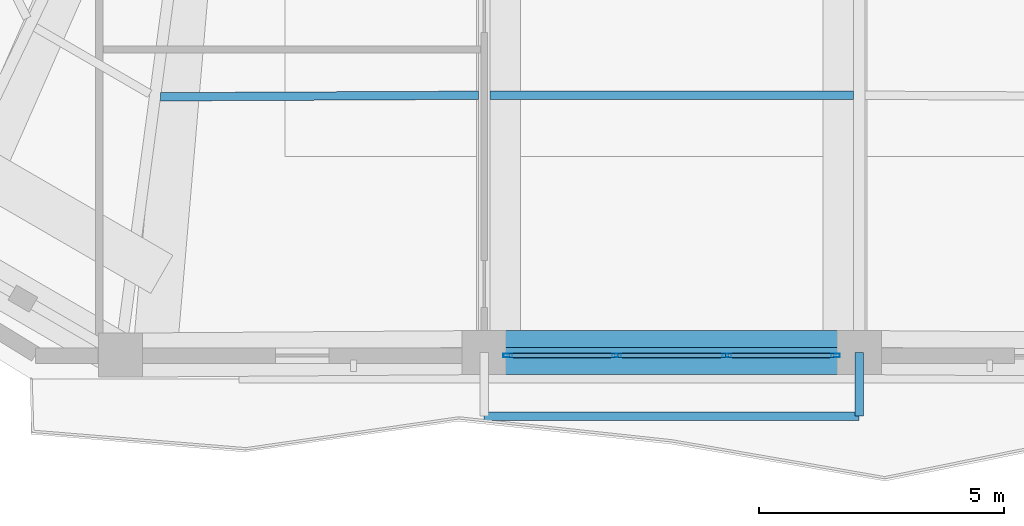
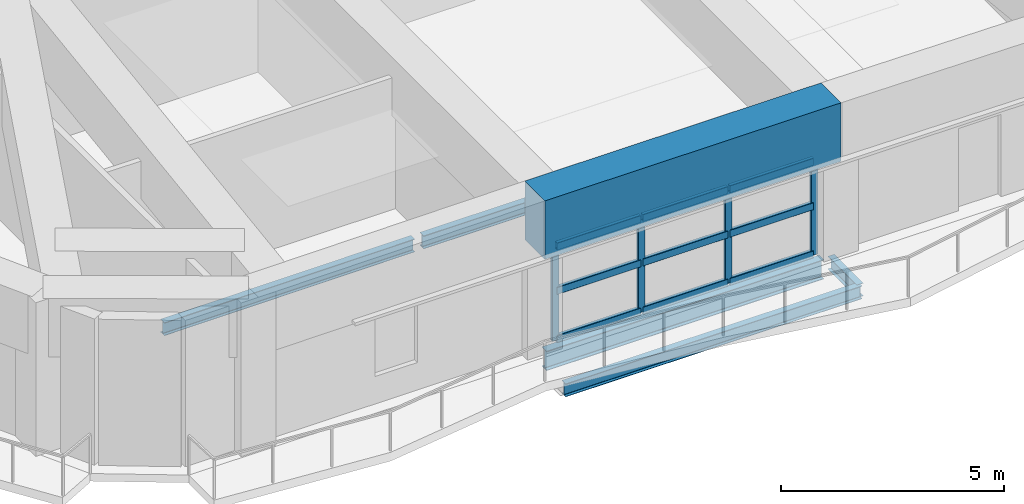
# One storey, part 4 of 20: 13 members, 6 beams, 1 element without a shape of its own.
"""IFC4 building model written with IfcOpenShell, lengths in metres."""

from ifc_helpers import new_model, si_unit, direction, frame, origin, origin_2d, place, context, subcontext, project, spatial, rectangle, hollow_rectangle, i_section, extrude, material, layer, layer_set, material_profile, profile_set, type_object, element, aggregate, save


model = new_model("IFC4")

# Units and contexts
model_context = context("Model", 3, precision=1e-05, world=origin(), true_north=direction((0.0, 1.0)))
body_context = subcontext(model_context, "Body", "Model", "MODEL_VIEW")
ifc_project = project(units=[si_unit("LENGTHUNIT", "METRE"), si_unit("AREAUNIT", "SQUARE_METRE"), si_unit("VOLUMEUNIT", "CUBIC_METRE"), si_unit("PLANEANGLEUNIT", "RADIAN"), si_unit("MASSUNIT", "GRAM", prefix="KILO")], contexts=[model_context])

# Site, building, storey
site_placement = place(None, origin())
site = spatial("IfcSite", under=ifc_project, at=site_placement, CompositionType="ELEMENT")
building_placement = place(site_placement, origin())
building = spatial("IfcBuilding", under=site, at=building_placement, Name="Cinnabar Lancet Tower", CompositionType="ELEMENT")
storey_placement = place(building_placement, frame((0.0, 0.0, 167.699951171875)))
storey = spatial("IfcBuildingStorey", under=building, at=storey_placement, Name="L44", CompositionType="ELEMENT", Elevation=167.699951171875)

# Curtain wall, members
ifc_material_1 = material(Name="Thermally broken bronze-anodized aluminium and low-E glass", Category="aluminium")
ifc_layer = layer(ifc_material_1, 0.179931640625)
ifc_layer_set = layer_set([ifc_layer], Name="Thermally broken bronze-anodized aluminium and low-E glass")
curtain_wall_type = type_object("IfcCurtainWallType", Name="ENV-CW-SYS-03", PredefinedType="NOTDEFINED", material=ifc_layer_set)
curtain_wall_placement = place(storey_placement, origin())
curtain_wall = element("IfcCurtainWall", 1, at=curtain_wall_placement, inside=storey, type_object=curtain_wall_type, Name="L44 Face 1 Feature Curtain Wall", PredefinedType="NOTDEFINED")
ifc_material_2 = material(Name="Anodized architectural aluminium 6063-T6", Category="aluminium")
ifc_material_profile_1 = material_profile(ifc_material_2, hollow_rectangle(XDim=0.074951171875, YDim=0.179931640625, WallThickness=0.00390625, InnerFilletRadius=0.001953125, OuterFilletRadius=0.006103515625, at=origin_2d()), Name="CW-MUL 180x75x4")
ifc_profile_set_1 = profile_set([ifc_material_profile_1], Name="Anodized architectural aluminium 6063-T6")
member_type_1 = type_object("IfcMemberType", Name="ENV-CW-MUL-180", PredefinedType="MULLION", material=ifc_profile_set_1)
member_1_placement = place(storey_placement, frame((29.052001953125, 3.929931640625, 0.0), z_axis=(0.0, 0.0, 1.0), x_axis=(0.0, 1.0, 0.0)))
member_1 = element("IfcMember", 2, at=member_1_placement, type_object=member_type_1, Name="CW-03 mullion 1", PredefinedType="MULLION", context=body_context, shape_type="SweptSolid", body=[
    extrude(hollow_rectangle(XDim=0.074951171875, YDim=0.179931640625, WallThickness=0.00390625, InnerFilletRadius=0.001953125, OuterFilletRadius=0.006103515625, at=origin_2d()), origin(), (0.0, 0.0, 1.0), 2.590087890625),
])
member_2_placement = place(storey_placement, frame((31.27392578125, 3.929931640625, 0.0), z_axis=(0.0, 0.0, 1.0), x_axis=(0.0, 1.0, 0.0)))
member_2 = element("IfcMember", 3, at=member_2_placement, type_object=member_type_1, Name="CW-03 mullion 2", PredefinedType="MULLION", context=body_context, shape_type="SweptSolid", body=[
    extrude(hollow_rectangle(XDim=0.074951171875, YDim=0.179931640625, WallThickness=0.00390625, InnerFilletRadius=0.001953125, OuterFilletRadius=0.006103515625, at=origin_2d()), origin(), (0.0, 0.0, 1.0), 2.590087890625),
])
member_3_placement = place(storey_placement, frame((33.52587890625, 3.929931640625, 0.0), z_axis=(0.0, 0.0, 1.0), x_axis=(0.0, 1.0, 0.0)))
member_3 = element("IfcMember", 4, at=member_3_placement, type_object=member_type_1, Name="CW-03 mullion 3", PredefinedType="MULLION", context=body_context, shape_type="SweptSolid", body=[
    extrude(hollow_rectangle(XDim=0.074951171875, YDim=0.179931640625, WallThickness=0.00390625, InnerFilletRadius=0.001953125, OuterFilletRadius=0.006103515625, at=origin_2d()), origin(), (0.0, 0.0, 1.0), 2.590087890625),
])
member_4_placement = place(storey_placement, frame((35.748046875, 3.929931640625, 0.0), z_axis=(0.0, 0.0, 1.0), x_axis=(0.0, 1.0, 0.0)))
member_4 = element("IfcMember", 5, at=member_4_placement, type_object=member_type_1, Name="CW-03 mullion 4", PredefinedType="MULLION", context=body_context, shape_type="SweptSolid", body=[
    extrude(hollow_rectangle(XDim=0.074951171875, YDim=0.179931640625, WallThickness=0.00390625, InnerFilletRadius=0.001953125, OuterFilletRadius=0.006103515625, at=origin_2d()), origin(), (0.0, 0.0, 1.0), 2.590087890625),
])
ifc_material_3 = material(Name="Anodized architectural aluminium 6063-T6", Category="aluminium")
ifc_material_profile_2 = material_profile(ifc_material_3, hollow_rectangle(XDim=0.10009765625, YDim=0.199951171875, WallThickness=0.008056640625, InnerFilletRadius=0.00390625, OuterFilletRadius=0.011962890625, at=origin_2d()), Name="RHS 200x100x8")
ifc_profile_set_2 = profile_set([ifc_material_profile_2], Name="Anodized architectural aluminium 6063-T6")
member_type_2 = type_object("IfcMemberType", Name="ENV-CW-TRN-140", PredefinedType="USERDEFINED", material=ifc_profile_set_2)
member_5_placement = place(storey_placement, frame((29.08203125, 3.929931640625, 0.030029296875), z_axis=(1.0, 0.0, 0.0), x_axis=(0.0, 1.0, 0.0)))
member_5 = element("IfcMember", 6, at=member_5_placement, type_object=member_type_2, Name="CW-03 transom 1.1", ObjectType="TRANSOM", PredefinedType="USERDEFINED", context=body_context, shape_type="SweptSolid", body=[
    extrude(hollow_rectangle(XDim=0.10009765625, YDim=0.199951171875, WallThickness=0.008056640625, InnerFilletRadius=0.00390625, OuterFilletRadius=0.011962890625, at=origin_2d()), origin(), (0.0, 0.0, 1.0), 2.161865234375),
])
member_6_placement = place(storey_placement, frame((29.08203125, 3.929931640625, 1.34716796875), z_axis=(1.0, 0.0, 0.0), x_axis=(0.0, 1.0, 0.0)))
member_6 = element("IfcMember", 7, at=member_6_placement, type_object=member_type_2, Name="CW-03 transom 1.2", ObjectType="TRANSOM", PredefinedType="USERDEFINED", context=body_context, shape_type="SweptSolid", body=[
    extrude(hollow_rectangle(XDim=0.10009765625, YDim=0.199951171875, WallThickness=0.008056640625, InnerFilletRadius=0.00390625, OuterFilletRadius=0.011962890625, at=origin_2d()), origin(), (0.0, 0.0, 1.0), 2.161865234375),
])
member_7_placement = place(storey_placement, frame((29.08203125, 3.929931640625, 2.56005859375), z_axis=(1.0, 0.0, 0.0), x_axis=(0.0, 1.0, 0.0)))
member_7 = element("IfcMember", 8, at=member_7_placement, type_object=member_type_2, Name="CW-03 transom 1.3", ObjectType="TRANSOM", PredefinedType="USERDEFINED", context=body_context, shape_type="SweptSolid", body=[
    extrude(hollow_rectangle(XDim=0.10009765625, YDim=0.199951171875, WallThickness=0.008056640625, InnerFilletRadius=0.00390625, OuterFilletRadius=0.011962890625, at=origin_2d()), origin(), (0.0, 0.0, 1.0), 2.161865234375),
])
member_8_placement = place(storey_placement, frame((31.303955078125, 3.929931640625, 0.030029296875), z_axis=(1.0, 0.0, 0.0), x_axis=(0.0, 1.0, 0.0)))
member_8 = element("IfcMember", 9, at=member_8_placement, type_object=member_type_2, Name="CW-03 transom 2.1", ObjectType="TRANSOM", PredefinedType="USERDEFINED", context=body_context, shape_type="SweptSolid", body=[
    extrude(hollow_rectangle(XDim=0.10009765625, YDim=0.199951171875, WallThickness=0.008056640625, InnerFilletRadius=0.00390625, OuterFilletRadius=0.011962890625, at=origin_2d()), origin(), (0.0, 0.0, 1.0), 2.192138671875),
])
member_9_placement = place(storey_placement, frame((31.303955078125, 3.929931640625, 1.34716796875), z_axis=(1.0, 0.0, 0.0), x_axis=(0.0, 1.0, 0.0)))
member_9 = element("IfcMember", 10, at=member_9_placement, type_object=member_type_2, Name="CW-03 transom 2.2", ObjectType="TRANSOM", PredefinedType="USERDEFINED", context=body_context, shape_type="SweptSolid", body=[
    extrude(hollow_rectangle(XDim=0.10009765625, YDim=0.199951171875, WallThickness=0.008056640625, InnerFilletRadius=0.00390625, OuterFilletRadius=0.011962890625, at=origin_2d()), origin(), (0.0, 0.0, 1.0), 2.192138671875),
])
member_10_placement = place(storey_placement, frame((31.303955078125, 3.929931640625, 2.56005859375), z_axis=(1.0, 0.0, 0.0), x_axis=(0.0, 1.0, 0.0)))
member_10 = element("IfcMember", 11, at=member_10_placement, type_object=member_type_2, Name="CW-03 transom 2.3", ObjectType="TRANSOM", PredefinedType="USERDEFINED", context=body_context, shape_type="SweptSolid", body=[
    extrude(hollow_rectangle(XDim=0.10009765625, YDim=0.199951171875, WallThickness=0.008056640625, InnerFilletRadius=0.00390625, OuterFilletRadius=0.011962890625, at=origin_2d()), origin(), (0.0, 0.0, 1.0), 2.192138671875),
])
member_11_placement = place(storey_placement, frame((33.555908203125, 3.929931640625, 0.030029296875), z_axis=(1.0, 0.0, 0.0), x_axis=(0.0, 1.0, 0.0)))
member_11 = element("IfcMember", 12, at=member_11_placement, type_object=member_type_2, Name="CW-03 transom 3.1", ObjectType="TRANSOM", PredefinedType="USERDEFINED", context=body_context, shape_type="SweptSolid", body=[
    extrude(hollow_rectangle(XDim=0.10009765625, YDim=0.199951171875, WallThickness=0.008056640625, InnerFilletRadius=0.00390625, OuterFilletRadius=0.011962890625, at=origin_2d()), origin(), (0.0, 0.0, 1.0), 2.162109375),
])
member_12_placement = place(storey_placement, frame((33.555908203125, 3.929931640625, 1.34716796875), z_axis=(1.0, 0.0, 0.0), x_axis=(0.0, 1.0, 0.0)))
member_12 = element("IfcMember", 13, at=member_12_placement, type_object=member_type_2, Name="CW-03 transom 3.2", ObjectType="TRANSOM", PredefinedType="USERDEFINED", context=body_context, shape_type="SweptSolid", body=[
    extrude(hollow_rectangle(XDim=0.10009765625, YDim=0.199951171875, WallThickness=0.008056640625, InnerFilletRadius=0.00390625, OuterFilletRadius=0.011962890625, at=origin_2d()), origin(), (0.0, 0.0, 1.0), 2.162109375),
])
member_13_placement = place(storey_placement, frame((33.555908203125, 3.929931640625, 2.56005859375), z_axis=(1.0, 0.0, 0.0), x_axis=(0.0, 1.0, 0.0)))
member_13 = element("IfcMember", 14, at=member_13_placement, type_object=member_type_2, Name="CW-03 transom 3.3", ObjectType="TRANSOM", PredefinedType="USERDEFINED", context=body_context, shape_type="SweptSolid", body=[
    extrude(hollow_rectangle(XDim=0.10009765625, YDim=0.199951171875, WallThickness=0.008056640625, InnerFilletRadius=0.00390625, OuterFilletRadius=0.011962890625, at=origin_2d()), origin(), (0.0, 0.0, 1.0), 2.162109375),
])
aggregate(curtain_wall, [member_1, member_2, member_3, member_4, member_5, member_6, member_7, member_8, member_9, member_10, member_11, member_12, member_13])

# Beams
ifc_material_4 = material(Name="Concrete C70/85", Category="concrete")
ifc_material_profile_3 = material_profile(ifc_material_4, rectangle(XDim=0.89990234375, YDim=1.60009765625, at=origin_2d()), Name="RC-BG 900x1600")
ifc_profile_set_3 = profile_set([ifc_material_profile_3], Name="Concrete C70/85")
beam_type_1 = type_object("IfcBeamType", Name="STR-BM-BG-1600", PredefinedType="BEAM", material=ifc_profile_set_3)
beam_1_placement = place(storey_placement, frame((28.568115234375, 3.991943359375, 3.400146484375), z_axis=(1.0, 0.0, 0.0), x_axis=(0.0, 1.0, 0.0)))
element("IfcBeam", 15, at=beam_1_placement, inside=storey, type_object=beam_type_1, Name="L45 Setback Outer Ring Girder 2", PredefinedType="BEAM", context=body_context, shape_type="SweptSolid", body=[
    extrude(rectangle(XDim=0.89990234375, YDim=1.60009765625, at=origin_2d()), origin(), (0.0, 0.0, 1.0), 7.663818359375),
])
ifc_material_5 = material(Name="Structural steel S355", Category="steel")
ifc_material_profile_4 = material_profile(ifc_material_5, i_section(OverallWidth=0.17138671875, OverallDepth=0.35498046875, WebThickness=0.00732421875, FlangeThickness=0.011474609375, FilletRadius=0.01025390625, at=origin_2d()), Name="UKB 356x171x51")
ifc_profile_set_4 = profile_set([ifc_material_profile_4], Name="Structural steel S355")
beam_type_2 = type_object("IfcBeamType", Name="STR-BM-JST-356", PredefinedType="JOIST", material=ifc_profile_set_4)
beam_2_placement = place(storey_placement, frame((21.955078125, 9.218017578125, -0.387939453125), z_axis=(0.999987891549, 0.004921052359, 0.0), x_axis=(-0.004921052359, 0.999987891549, 0.0)))
element("IfcBeam", 16, at=beam_2_placement, inside=storey, type_object=beam_type_2, Name="L44 Secondary Floor Joist 9", PredefinedType="JOIST", context=body_context, shape_type="SweptSolid", body=[
    extrude(i_section(OverallWidth=0.17138671875, OverallDepth=0.35498046875, WebThickness=0.00732421875, FlangeThickness=0.011474609375, FilletRadius=0.01025390625, at=origin_2d()), origin(), (0.0, 0.0, 1.0), 6.4990234375),
])
beam_3_placement = place(storey_placement, frame((28.681884765625, 9.2509765625, -0.387939453125), z_axis=(1.0, 0.0, 0.0), x_axis=(0.0, 1.0, 0.0)))
element("IfcBeam", 17, at=beam_3_placement, inside=storey, type_object=beam_type_2, Name="L44 Secondary Floor Joist 11", PredefinedType="JOIST", context=body_context, shape_type="SweptSolid", body=[
    extrude(i_section(OverallWidth=0.17138671875, OverallDepth=0.35498046875, WebThickness=0.00732421875, FlangeThickness=0.011474609375, FilletRadius=0.01025390625, at=origin_2d()), origin(), (0.0, 0.0, 1.0), 7.43603515625),
])
ifc_material_6 = material(Name="Structural steel S355", Category="steel")
ifc_material_profile_5 = material_profile(ifc_material_6, i_section(OverallWidth=0.209228515625, OverallDepth=0.533203125, WebThickness=0.010009765625, FlangeThickness=0.015625, FilletRadius=0.0126953125, at=origin_2d()), Name="UKB 533x210x92")
ifc_profile_set_5 = profile_set([ifc_material_profile_5], Name="Structural steel S355")
beam_type_3 = type_object("IfcBeamType", Name="STR-BM-SPN-533", PredefinedType="SPANDREL", material=ifc_profile_set_5)
beam_4_placement = place(storey_placement, frame((28.818115234375, 3.991943359375, -0.47705078125), z_axis=(1.0, 0.0, 0.0), x_axis=(0.0, 1.0, 0.0)))
element("IfcBeam", 18, at=beam_4_placement, inside=storey, type_object=beam_type_3, Name="L44 Perimeter Spandrel 2", PredefinedType="SPANDREL", context=body_context, shape_type="SweptSolid", body=[
    extrude(i_section(OverallWidth=0.209228515625, OverallDepth=0.533203125, WebThickness=0.010009765625, FlangeThickness=0.015625, FilletRadius=0.0126953125, at=origin_2d()), origin(), (0.0, 0.0, 1.0), 7.163818359375),
])
ifc_material_7 = material(Name="Structural steel S355", Category="steel")
ifc_material_profile_6 = material_profile(ifc_material_7, i_section(OverallWidth=0.17138671875, OverallDepth=0.35498046875, WebThickness=0.00732421875, FlangeThickness=0.011474609375, FilletRadius=0.01025390625, at=origin_2d()), Name="UKB 356x171x51")
ifc_profile_set_6 = profile_set([ifc_material_profile_6], Name="Structural steel S355")
beam_type_4 = type_object("IfcBeamType", Name="STR-BM-WAV-OUT", PredefinedType="BEAM", material=ifc_profile_set_6)
beam_5_placement = place(storey_placement, frame((36.23193359375, 3.991943359375, -0.41796875), z_axis=(0.0, -1.0, 0.0), x_axis=(1.0, 0.0, 0.0)))
element("IfcBeam", 19, at=beam_5_placement, inside=storey, type_object=beam_type_4, Name="L44 Face 1 Balcony Outlooker B", PredefinedType="BEAM", context=body_context, shape_type="SweptSolid", body=[
    extrude(i_section(OverallWidth=0.17138671875, OverallDepth=0.35498046875, WebThickness=0.00732421875, FlangeThickness=0.011474609375, FilletRadius=0.01025390625, at=origin_2d()), origin(), (0.0, 0.0, 1.0), 1.300048828125),
])
ifc_material_8 = material(Name="Structural steel S355", Category="steel")
ifc_material_profile_7 = material_profile(ifc_material_8, i_section(OverallWidth=0.17138671875, OverallDepth=0.35498046875, WebThickness=0.00732421875, FlangeThickness=0.011474609375, FilletRadius=0.01025390625, at=origin_2d()), Name="UKB 356x171x51")
ifc_profile_set_7 = profile_set([ifc_material_profile_7], Name="Structural steel S355")
beam_type_5 = type_object("IfcBeamType", Name="STR-BM-WAV-TRIM", PredefinedType="SPANDREL", material=ifc_profile_set_7)
beam_6_placement = place(storey_placement, frame((28.568115234375, 2.69189453125, -0.41796875), z_axis=(1.0, 0.0, 0.0), x_axis=(0.0, 1.0, 0.0)))
element("IfcBeam", 20, at=beam_6_placement, inside=storey, type_object=beam_type_5, Name="L44 Face 1 Balcony Edge Trimmer", PredefinedType="SPANDREL", context=body_context, shape_type="SweptSolid", body=[
    extrude(i_section(OverallWidth=0.17138671875, OverallDepth=0.35498046875, WebThickness=0.00732421875, FlangeThickness=0.011474609375, FilletRadius=0.01025390625, at=origin_2d()), origin(), (0.0, 0.0, 1.0), 7.663818359375),
])

save(model, "model.ifc")
